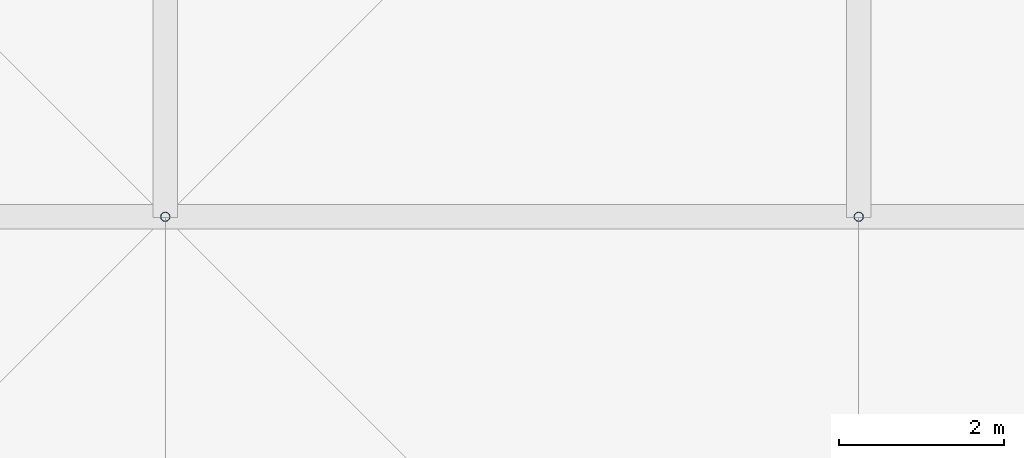
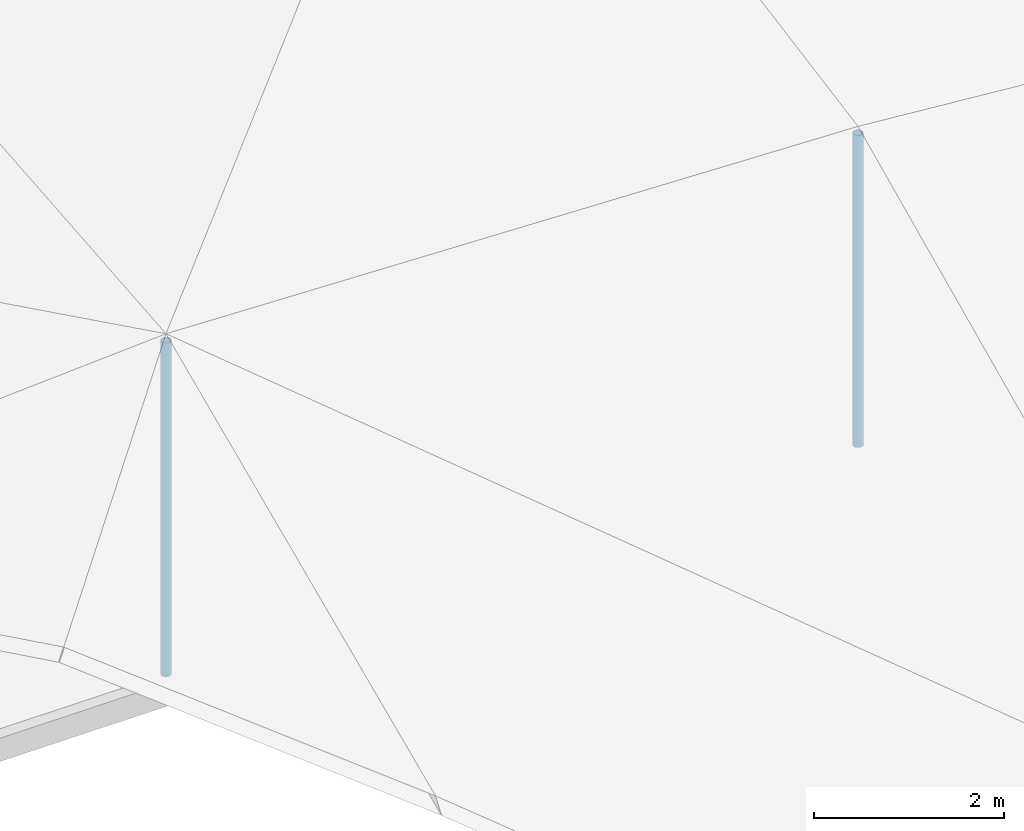
# One storey, part 9 of 46: 2 discrete accessories.
"""IFC4 building model written with IfcOpenShell, lengths in metres."""

from ifc_helpers import new_model, si_unit, direction, frame, origin, origin_2d, place, context, subcontext, project, spatial, hollow_circle, extrude, material, material_profile, profile_set, type_object, element, save


model = new_model("IFC4")

# Units and contexts
model_context = context("Model", 3, precision=1e-05, world=origin(), true_north=direction((0.0, 1.0)))
body_context = subcontext(model_context, "Body", "Model", "MODEL_VIEW")
ifc_project = project(units=[si_unit("LENGTHUNIT", "METRE"), si_unit("AREAUNIT", "SQUARE_METRE"), si_unit("VOLUMEUNIT", "CUBIC_METRE"), si_unit("PLANEANGLEUNIT", "RADIAN"), si_unit("MASSUNIT", "GRAM", prefix="KILO")], contexts=[model_context])

# Site, building, storey
site_placement = place(None, origin())
site = spatial("IfcSite", under=ifc_project, at=site_placement, CompositionType="ELEMENT")
building_placement = place(site_placement, origin())
building = spatial("IfcBuilding", under=site, at=building_placement, Name="Rain Tree Exposition and Congress Centre", CompositionType="ELEMENT")
storey_placement = place(building_placement, frame((0.0, 0.0, 27.0)))
storey = spatial("IfcBuildingStorey", under=building, at=storey_placement, Name="ROOF VAULT CREST", CompositionType="ELEMENT", Elevation=27.0)

# Discrete accessories
ifc_material = material(Name="Steel S355J2H", Category="steel")
ifc_material_profile = material_profile(ifc_material, hollow_circle(Radius=0.05712890625, WallThickness=0.00439453125, at=origin_2d()), Name="CHS 114x4.5")
ifc_profile_set = profile_set([ifc_material_profile], Name="Steel S355J2H")
discrete_accessory_type = type_object("IfcDiscreteAccessoryType", Name="Roof skin post CHS 114x4.5", PredefinedType="BRACKET", material=ifc_profile_set)
discrete_accessory_1_placement = place(storey_placement, frame((159.60009765625, 117.60009765625, 0.551025390625), z_axis=(0.0, 0.0, 1.0), x_axis=(1.0, 0.0, 0.0)))
element("IfcDiscreteAccessory", 1, at=discrete_accessory_1_placement, inside=storey, type_object=discrete_accessory_type, Name="Roof skin post B29", PredefinedType="BRACKET", context=body_context, shape_type="SweptSolid", body=[
    extrude(hollow_circle(Radius=0.05712890625, WallThickness=0.00439453125, at=origin_2d()), origin(), (0.0, 0.0, 1.0), 4.28369140625),
])
discrete_accessory_2_placement = place(storey_placement, frame((168.0, 117.60009765625, 0.551025390625), z_axis=(0.0, 0.0, 1.0), x_axis=(1.0, 0.0, 0.0)))
element("IfcDiscreteAccessory", 2, at=discrete_accessory_2_placement, inside=storey, type_object=discrete_accessory_type, Name="Roof skin post B30", PredefinedType="BRACKET", context=body_context, shape_type="SweptSolid", body=[
    extrude(hollow_circle(Radius=0.05712890625, WallThickness=0.00439453125, at=origin_2d()), origin(), (0.0, 0.0, 1.0), 4.00439453125),
])

save(model, "model.ifc")
